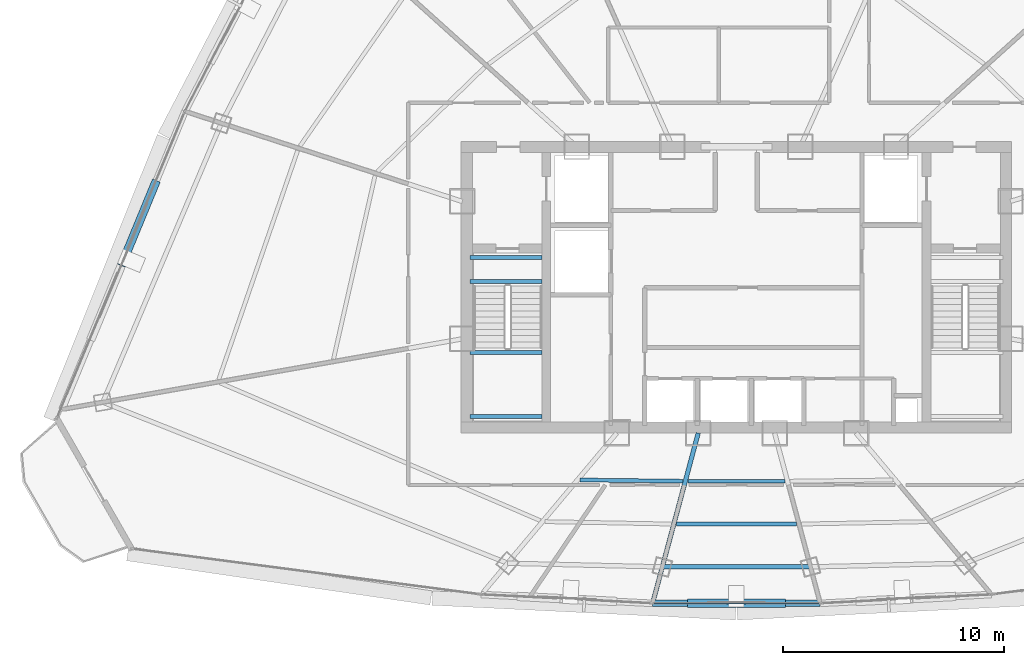
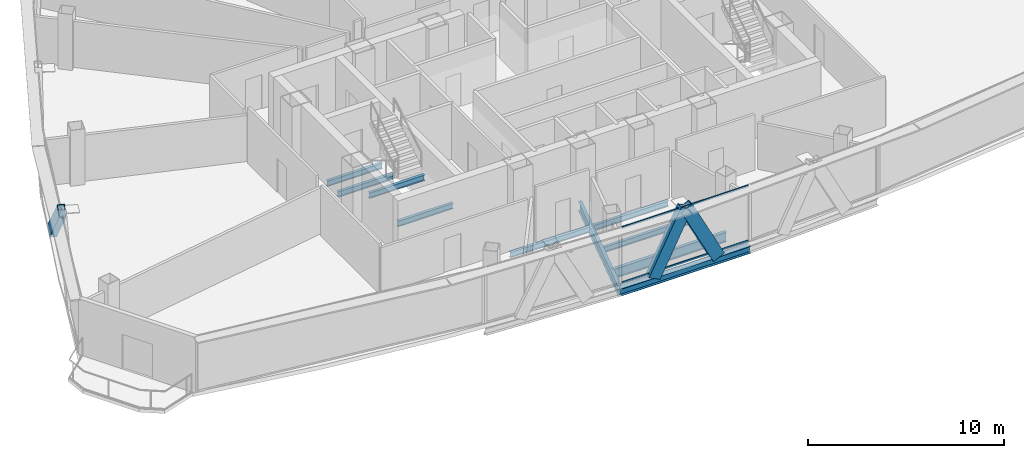
# One storey, part 7 of 33: 10 beams, 5 members, 1 element without a shape of its own.
"""IFC4 building model written with IfcOpenShell, lengths in metres."""

from ifc_helpers import new_model, si_unit, direction, frame, origin, origin_2d, place, context, subcontext, project, spatial, hollow_rectangle, i_section, extrude, source, transform, mapped, material, layer, layer_set, material_profile, profile_set, type_object, element, aggregate, save


model = new_model("IFC4")

# Units and contexts
model_context = context("Model", 3, precision=1e-05, world=origin(), true_north=direction((0.0, 1.0)))
body_context = subcontext(model_context, "Body", "Model", "MODEL_VIEW")
ifc_project = project(units=[si_unit("LENGTHUNIT", "METRE"), si_unit("AREAUNIT", "SQUARE_METRE"), si_unit("VOLUMEUNIT", "CUBIC_METRE"), si_unit("PLANEANGLEUNIT", "RADIAN"), si_unit("MASSUNIT", "GRAM", prefix="KILO"), si_unit("THERMODYNAMICTEMPERATUREUNIT", "KELVIN"), si_unit("POWERUNIT", "WATT")], contexts=[model_context])

# Site, building, storey
site_placement = place(None, origin())
site = spatial("IfcSite", under=ifc_project, at=site_placement, CompositionType="ELEMENT")
building_placement = place(site_placement, origin())
building = spatial("IfcBuilding", under=site, at=building_placement, Name="Yunzhuo Pagoda Commons", CompositionType="ELEMENT")
storey_placement = place(building_placement, frame((0.0, 0.0, 307.39990234375)))
storey = spatial("IfcBuildingStorey", under=building, at=storey_placement, Name="L77", CompositionType="ELEMENT", Elevation=307.39990234375)

# Beams
ifc_material_1 = material(Name="Structural steel Q355B", Category="steel")
ifc_material_profile_1 = material_profile(ifc_material_1, i_section(OverallWidth=0.175048828125, OverallDepth=0.35009765625, WebThickness=0.007080078125, FlangeThickness=0.010986328125, at=origin_2d()), Name="Structural steel Q355B")
ifc_profile_set_1 = profile_set([ifc_material_profile_1], Name="Structural steel Q355B")
beam_type_1 = type_object("IfcBeamType", Name="B-JS2 Joist HN 350x175x7x11", PredefinedType="JOIST", material=ifc_profile_set_1)
shared_shape_1 = source(origin(), body_context, "Body", "SweptSolid", [
    extrude(i_section(OverallWidth=0.175048828125, OverallDepth=0.35009765625, WebThickness=0.007080078125, FlangeThickness=0.010986328125, at=origin_2d()), origin(), (0.0, 0.0, 1.0), 3.25),
])
for number, where, z_axis, x_axis, name in (
    (1, (35.949951171875, 28.0, 1.489990234375), (1.0, 0.0, 0.0), (0.0, 1.0, 0.0), "L77 ST1 landing support beam 83A"),
    (2, (35.949951171875, 30.89990234375, 1.489990234375), (1.0, 0.0, 0.0), (0.0, 1.0, 0.0), "L77 ST1 landing support beam 83B"),
    (3, (35.949951171875, 34.10009765625, -0.375), (1.0, 0.0, 0.0), (0.0, 1.0, 0.0), "L77 ST1 landing support beam 181A"),
    (4, (35.949951171875, 35.199951171875, -0.375), (1.0, 0.0, 0.0), (0.0, 1.0, 0.0), "L77 ST1 landing support beam 181B"),
):
    element("IfcBeam", number, at=place(storey_placement, frame(where, z_axis=z_axis, x_axis=x_axis)), inside=storey, type_object=beam_type_1, Name=name, PredefinedType="JOIST", context=body_context, shape_type="MappedRepresentation", body=[
        mapped(shared_shape_1, transform((0.0, 0.0, 0.0), scale=1.0)),
    ])
shared_shape_2 = source(origin(), body_context, "Body", "SweptSolid", [
    extrude(i_section(OverallWidth=0.175048828125, OverallDepth=0.35009765625, WebThickness=0.007080078125, FlangeThickness=0.010986328125, at=origin_2d()), origin(), (0.0, 0.0, 1.0), 4.64892578125),
])
beam_1_placement = place(storey_placement, frame((40.924072265625, 25.12890625, -0.434814453125), z_axis=(0.999924495467, -0.012288342626, 0.0), x_axis=(0.012288342626, 0.999924495467, 0.0)))
element("IfcBeam", 5, at=beam_1_placement, inside=storey, type_object=beam_type_1, Name="L77 composite ring joist 1.1", PredefinedType="JOIST", context=body_context, shape_type="MappedRepresentation", body=[
    mapped(shared_shape_2, transform((0.0, 0.0, 0.0), scale=1.0)),
])
ifc_material_profile_2 = material_profile(ifc_material_1, i_section(OverallWidth=0.199951171875, OverallDepth=0.60009765625, WebThickness=0.010986328125, FlangeThickness=0.01708984375, at=origin_2d()), Name="Structural steel Q355B")
ifc_profile_set_2 = profile_set([ifc_material_profile_2], Name="Structural steel Q355B")
beam_type_2 = type_object("IfcBeamType", Name="B-RG3 Beam HN 600x200x11x17", PredefinedType="BEAM", material=ifc_profile_set_2)
shared_shape_3 = source(origin(), body_context, "Body", "SweptSolid", [
    extrude(i_section(OverallWidth=0.199951171875, OverallDepth=0.60009765625, WebThickness=0.010986328125, FlangeThickness=0.01708984375, at=origin_2d()), origin(), (0.0, 0.0, 1.0), 6.701171875),
])
beam_2_placement = place(storey_placement, frame((44.6494140625, 21.195556640625, -0.559814453125), z_axis=(1.0, 0.0, 0.0), x_axis=(0.0, 1.0, 0.0)))
element("IfcBeam", 6, at=beam_2_placement, inside=storey, type_object=beam_type_2, Name="L77 column-ring beam 2", PredefinedType="BEAM", context=body_context, shape_type="MappedRepresentation", body=[
    mapped(shared_shape_3, transform((0.0, 0.0, 0.0), scale=1.0)),
])
shared_shape_4 = source(origin(), body_context, "Body", "SweptSolid", [
    extrude(i_section(OverallWidth=0.175048828125, OverallDepth=0.35009765625, WebThickness=0.007080078125, FlangeThickness=0.010986328125, at=origin_2d()), origin(), (0.0, 0.0, 1.0), 4.39453125),
])
beam_3_placement = place(storey_placement, frame((45.802734375, 25.070556640625, -0.434814453125), z_axis=(1.0, 0.0, 0.0), x_axis=(0.0, 1.0, 0.0)))
element("IfcBeam", 7, at=beam_3_placement, inside=storey, type_object=beam_type_1, Name="L77 composite ring joist 1.2", PredefinedType="JOIST", context=body_context, shape_type="MappedRepresentation", body=[
    mapped(shared_shape_4, transform((0.0, 0.0, 0.0), scale=1.0)),
])
shared_shape_5 = source(origin(), body_context, "Body", "SweptSolid", [
    extrude(i_section(OverallWidth=0.175048828125, OverallDepth=0.35009765625, WebThickness=0.007080078125, FlangeThickness=0.010986328125, at=origin_2d()), origin(), (0.0, 0.0, 1.0), 5.43310546875),
])
beam_4_placement = place(storey_placement, frame((45.283447265625, 23.133056640625, -0.434814453125), z_axis=(1.0, 0.0, 0.0), x_axis=(0.0, 1.0, 0.0)))
element("IfcBeam", 8, at=beam_4_placement, inside=storey, type_object=beam_type_1, Name="L77 composite ring joist 2.2", PredefinedType="JOIST", context=body_context, shape_type="MappedRepresentation", body=[
    mapped(shared_shape_5, transform((0.0, 0.0, 0.0), scale=1.0)),
])
shared_shape_6 = source(origin(), body_context, "Body", "SweptSolid", [
    extrude(i_section(OverallWidth=0.199951171875, OverallDepth=0.60009765625, WebThickness=0.010986328125, FlangeThickness=0.01708984375, at=origin_2d()), origin(), (0.0, 0.0, 1.0), 7.82080078125),
])
beam_5_placement = place(storey_placement, frame((44.24755859375, 19.69580078125, -0.559814453125), z_axis=(0.258851551994, 0.965917115508, 0.0), x_axis=(-0.965917115508, 0.258851551994, 0.0)))
element("IfcBeam", 9, at=beam_5_placement, inside=storey, type_object=beam_type_2, Name="L77 radial floor girder F1C2", PredefinedType="BEAM", context=body_context, shape_type="MappedRepresentation", body=[
    mapped(shared_shape_6, transform((0.0, 0.0, 0.0), scale=1.0)),
])
ifc_material_profile_3 = material_profile(ifc_material_1, i_section(OverallWidth=0.300048828125, OverallDepth=0.43994140625, WebThickness=0.010986328125, FlangeThickness=0.01806640625, at=origin_2d()), Name="Structural steel Q355B")
ifc_profile_set_3 = profile_set([ifc_material_profile_3], Name="Structural steel Q355B")
beam_type_3 = type_object("IfcBeamType", Name="B-SP2 Beam HM 440x300x11x18", PredefinedType="BEAM", material=ifc_profile_set_3)
shared_shape_7 = source(origin(), body_context, "Body", "SweptSolid", [
    extrude(i_section(OverallWidth=0.300048828125, OverallDepth=0.43994140625, WebThickness=0.010986328125, FlangeThickness=0.01806640625, at=origin_2d()), origin(), (0.0, 0.0, 1.0), 7.5849609375),
])
beam_6_placement = place(storey_placement, frame((44.207763671875, 19.5458984375, -0.47998046875), z_axis=(1.0, 0.0, 0.0), x_axis=(0.0, 1.0, 0.0)))
element("IfcBeam", 10, at=beam_6_placement, inside=storey, type_object=beam_type_3, Name="L77 facade edge spandrel beam F1.2", PredefinedType="BEAM", context=body_context, shape_type="MappedRepresentation", body=[
    mapped(shared_shape_7, transform((0.0, 0.0, 0.0), scale=1.0)),
])

# Members
ifc_material_profile_4 = material_profile(ifc_material_1, hollow_rectangle(XDim=0.3798828125, YDim=0.719970703125, WallThickness=0.02001953125, at=origin_2d()), Name="Structural steel Q355B")
ifc_profile_set_4 = profile_set([ifc_material_profile_4], Name="Structural steel Q355B")
member_type_1 = type_object("IfcMemberType", Name="M-DL3 Brace BOX 720x380x20", PredefinedType="BRACE", material=ifc_profile_set_4)
shared_shape_8 = source(origin(), body_context, "Body", "SweptSolid", [
    extrude(hollow_rectangle(XDim=0.3798828125, YDim=0.719970703125, WallThickness=0.02001953125, at=origin_2d()), origin(), (0.0, 0.0, 1.0), 4.1845703125),
])
for number, where, z_axis, x_axis, name in (
    (11, (46.103759765625, 19.5458984375, -0.260009765625), (0.453154743842, 0.0, 0.891431869597), (0.0, 1.0, 0.0), "L77 facade diamond brace F1.2L"),
    (12, (49.896240234375, 19.5458984375, -0.260009765625), (-0.453154743842, 0.0, 0.891431869597), (0.0, -1.0, 0.0), "L77 facade diamond brace F1.2R"),
):
    element("IfcMember", number, at=place(storey_placement, frame(where, z_axis=z_axis, x_axis=x_axis)), inside=storey, type_object=member_type_1, Name=name, PredefinedType="BRACE", context=body_context, shape_type="MappedRepresentation", body=[
        mapped(shared_shape_8, transform((0.0, 0.0, 0.0), scale=1.0)),
    ])
shared_shape_9 = source(origin(), body_context, "Body", "SweptSolid", [
    extrude(hollow_rectangle(XDim=0.3798828125, YDim=0.719970703125, WallThickness=0.02001953125, at=origin_2d()), origin(), (0.0, 0.0, 1.0), 5.21728515625),
])
member_1_placement = place(storey_placement, frame((21.6591796875, 38.43505859375, -0.260009765625), z_axis=(-0.266640764304, -0.646292663355, 0.71498845872), x_axis=(0.924415889146, -0.38138597758, 0.0)))
element("IfcMember", 13, at=member_1_placement, inside=storey, type_object=member_type_1, Name="L77 facade diamond brace F3.3L", PredefinedType="BRACE", context=body_context, shape_type="MappedRepresentation", body=[
    mapped(shared_shape_9, transform((0.0, 0.0, 0.0), scale=1.0)),
])

# Curtain wall, members
ifc_material_2 = material(Name="Anodized aluminium 6063-T6", Category="aluminium")
ifc_layer = layer(ifc_material_2, 0.139892578125)
ifc_layer_set = layer_set([ifc_layer], Name="Anodized aluminium 6063-T6")
curtain_wall_type = type_object("IfcCurtainWallType", Name="CW-HI High-Zone Ribbon Curtain Wall", PredefinedType="NOTDEFINED", material=ifc_layer_set)
curtain_wall_placement = place(storey_placement, origin())
curtain_wall = element("IfcCurtainWall", 14, at=curtain_wall_placement, inside=storey, type_object=curtain_wall_type, Name="L77 curtain wall CW-L77-F1B3", PredefinedType="NOTDEFINED")
ifc_material_profile_5 = material_profile(ifc_material_2, hollow_rectangle(XDim=0.054931640625, YDim=0.1201171875, WallThickness=0.00341796875, at=origin_2d()), Name="Anodized aluminium 6063-T6")
ifc_profile_set_5 = profile_set([ifc_material_profile_5], Name="Anodized aluminium 6063-T6")
member_type_2 = type_object("IfcMemberType", Name="CW-HI-T Transom RHS 120x55x3.5", PredefinedType="USERDEFINED", material=ifc_profile_set_5)
shared_shape_10 = source(origin(), body_context, "Body", "SweptSolid", [
    extrude(hollow_rectangle(XDim=0.054931640625, YDim=0.1201171875, WallThickness=0.00341796875, at=origin_2d()), origin(), (0.0, 0.0, 1.0), 7.46533203125),
])
member_2_placement = place(storey_placement, frame((44.267333984375, 19.5458984375, 0.027587890625), z_axis=(1.0, 0.0, 0.0), x_axis=(0.0, 1.0, 0.0)))
member_2 = element("IfcMember", 15, at=member_2_placement, type_object=member_type_2, Name="CW transom 1.1", ObjectType="TRANSOM", PredefinedType="USERDEFINED", context=body_context, shape_type="MappedRepresentation", body=[
    mapped(shared_shape_10, transform((0.0, 0.0, 0.0), scale=1.0)),
])
member_3_placement = place(storey_placement, frame((44.267333984375, 19.5458984375, 3.442626953125), z_axis=(1.0, 0.0, 0.0), x_axis=(0.0, 1.0, 0.0)))
member_3 = element("IfcMember", 16, at=member_3_placement, type_object=member_type_2, Name="CW transom 1.2", ObjectType="TRANSOM", PredefinedType="USERDEFINED", context=body_context, shape_type="MappedRepresentation", body=[
    mapped(shared_shape_10, transform((0.0, 0.0, 0.0), scale=1.0)),
])
aggregate(curtain_wall, [member_2, member_3])

save(model, "model.ifc")
